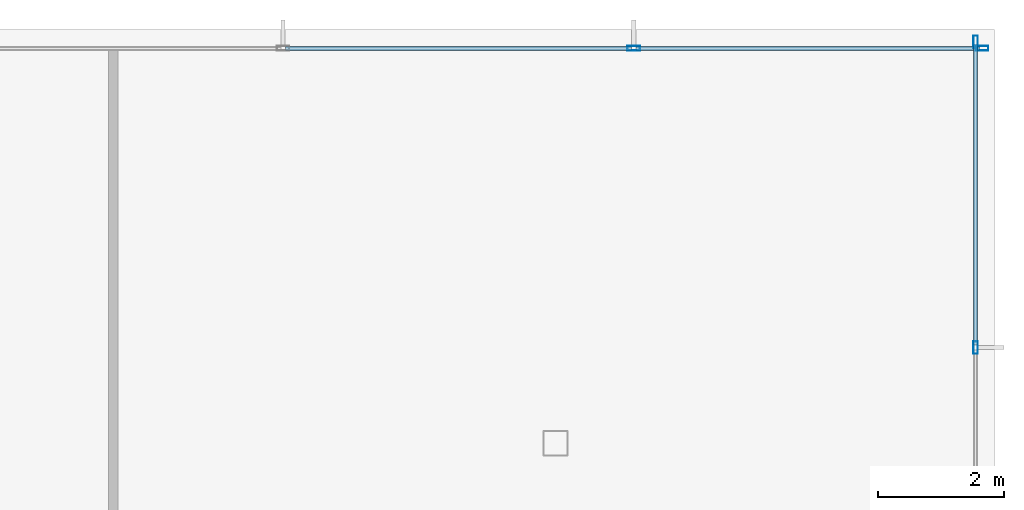
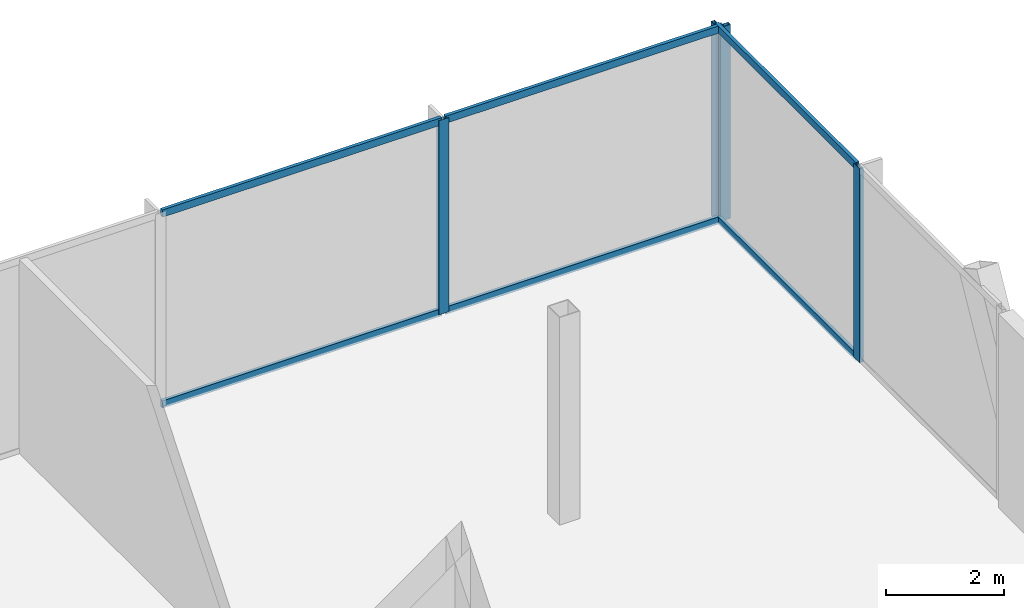
# One storey, part 31 of 42: 10 members, 2 elements without a shape of their own.
"""IFC4 building model written with IfcOpenShell, lengths in metres."""

from ifc_helpers import new_model, si_unit, direction, frame, origin, origin_2d, place, context, subcontext, project, spatial, hollow_rectangle, extrude, material, layer, layer_set, material_profile, profile_set, type_object, element, aggregate, save


model = new_model("IFC4")

# Units and contexts
model_context = context("Model", 3, precision=1e-05, world=origin(), true_north=direction((0.0, 1.0)))
body_context = subcontext(model_context, "Body", "Model", "MODEL_VIEW")
ifc_project = project(units=[si_unit("LENGTHUNIT", "METRE"), si_unit("AREAUNIT", "SQUARE_METRE"), si_unit("VOLUMEUNIT", "CUBIC_METRE"), si_unit("PLANEANGLEUNIT", "RADIAN"), si_unit("MASSUNIT", "GRAM", prefix="KILO")], contexts=[model_context])

# Site, building, storey
site_placement = place(None, origin())
site = spatial("IfcSite", under=ifc_project, at=site_placement, CompositionType="ELEMENT")
building_placement = place(site_placement, origin())
building = spatial("IfcBuilding", under=site, at=building_placement, Name="Orvanel Arch Residences", CompositionType="ELEMENT")
storey_placement = place(building_placement, frame((0.0, 0.0, 5.5)))
storey = spatial("IfcBuildingStorey", under=building, at=storey_placement, Name="L01", CompositionType="ELEMENT", Elevation=5.5)

# Curtain wall, members
ifc_material = material(Name="Bronze-anodised aluminium AA6063-T6", Category="aluminium")
ifc_layer = layer(ifc_material, 0.199951171875)
ifc_layer_set = layer_set([ifc_layer], Name="Bronze-anodised aluminium AA6063-T6")
curtain_wall_type = type_object("IfcCurtainWallType", Name="CW1-POD-SYS", PredefinedType="NOTDEFINED", material=ifc_layer_set)
curtain_wall_1_placement = place(storey_placement, origin())
curtain_wall_1 = element("IfcCurtainWall", 1, at=curtain_wall_1_placement, inside=storey, type_object=curtain_wall_type, Name="L01 CW1-POD-SYS Unitised Curtain Wall", PredefinedType="NOTDEFINED")
ifc_material_profile_1 = material_profile(ifc_material, hollow_rectangle(XDim=0.074951171875, YDim=0.199951171875, WallThickness=0.0048828125, at=origin_2d()), Name="ALU200x75x5")
ifc_profile_set_1 = profile_set([ifc_material_profile_1], Name="Bronze-anodised aluminium AA6063-T6")
member_type_1 = type_object("IfcMemberType", Name="MUL-200x75", PredefinedType="MULLION", material=ifc_profile_set_1)
member_1_placement = place(storey_placement, frame((64.552490234375, 54.25, 0.0), z_axis=(0.0, 0.0, 1.0), x_axis=(0.0, -1.0, 0.0)))
member_1 = element("IfcMember", 2, at=member_1_placement, type_object=member_type_1, Name="CW-S1 mullion 1", PredefinedType="MULLION", context=body_context, shape_type="SweptSolid", body=[
    extrude(hollow_rectangle(XDim=0.074951171875, YDim=0.199951171875, WallThickness=0.0048828125, at=origin_2d()), origin(), (0.0, 0.0, 1.0), 4.02001953125),
])
member_2_placement = place(storey_placement, frame((59.0400390625, 54.25, 0.0), z_axis=(0.0, 0.0, 1.0), x_axis=(0.0, -1.0, 0.0)))
member_2 = element("IfcMember", 3, at=member_2_placement, type_object=member_type_1, Name="CW-S1 mullion 2", PredefinedType="MULLION", context=body_context, shape_type="SweptSolid", body=[
    extrude(hollow_rectangle(XDim=0.074951171875, YDim=0.199951171875, WallThickness=0.0048828125, at=origin_2d()), origin(), (0.0, 0.0, 1.0), 4.02001953125),
])

curtain_wall_2_placement = place(storey_placement, origin())
curtain_wall_2 = element("IfcCurtainWall", 4, at=curtain_wall_2_placement, inside=storey, type_object=curtain_wall_type, Name="L01 CW1-POD-SYS Unitised Curtain Wall", PredefinedType="NOTDEFINED")
member_3_placement = place(storey_placement, frame((64.449951171875, 49.514892578125, 0.0), z_axis=(0.0, 0.0, 1.0), x_axis=(-1.0, 0.0, 0.0)))
member_3 = element("IfcMember", 5, at=member_3_placement, type_object=member_type_1, Name="CW-S1 mullion 2", PredefinedType="MULLION", context=body_context, shape_type="SweptSolid", body=[
    extrude(hollow_rectangle(XDim=0.074951171875, YDim=0.199951171875, WallThickness=0.0048828125, at=origin_2d()), origin(), (0.0, 0.0, 1.0), 4.02001953125),
])
member_4_placement = place(storey_placement, frame((64.449951171875, 54.3525390625, 0.0), z_axis=(0.0, 0.0, 1.0), x_axis=(-1.0, 0.0, 0.0)))
member_4 = element("IfcMember", 6, at=member_4_placement, type_object=member_type_1, Name="CW-S1 mullion 3", PredefinedType="MULLION", context=body_context, shape_type="SweptSolid", body=[
    extrude(hollow_rectangle(XDim=0.074951171875, YDim=0.199951171875, WallThickness=0.0048828125, at=origin_2d()), origin(), (0.0, 0.0, 1.0), 4.02001953125),
])

# Member
ifc_material_profile_2 = material_profile(ifc_material, hollow_rectangle(XDim=0.06494140625, YDim=0.14990234375, WallThickness=0.00390625, at=origin_2d()), Name="ALU150x65x4")
ifc_profile_set_2 = profile_set([ifc_material_profile_2], Name="Bronze-anodised aluminium AA6063-T6")
member_type_2 = type_object("IfcMemberType", Name="TRN-150x65", PredefinedType="USERDEFINED", material=ifc_profile_set_2)
member_5_placement = place(storey_placement, frame((64.514892578125, 54.25, 0.032470703125), z_axis=(-1.0, 0.0, 0.0), x_axis=(0.0, -1.0, 0.0)))
member_5 = element("IfcMember", 7, at=member_5_placement, type_object=member_type_2, Name="CW-S1 transom 1.1", ObjectType="TRANSOM", PredefinedType="USERDEFINED", context=body_context, shape_type="SweptSolid", body=[
    extrude(hollow_rectangle(XDim=0.06494140625, YDim=0.14990234375, WallThickness=0.00390625, at=origin_2d()), origin(), (0.0, 0.0, 1.0), 5.4375),
])

member_6_placement = place(storey_placement, frame((64.514892578125, 54.25, 3.987548828125), z_axis=(-1.0, 0.0, 0.0), x_axis=(0.0, -1.0, 0.0)))
member_6 = element("IfcMember", 8, at=member_6_placement, type_object=member_type_2, Name="CW-S1 transom 1.2", ObjectType="TRANSOM", PredefinedType="USERDEFINED", context=body_context, shape_type="SweptSolid", body=[
    extrude(hollow_rectangle(XDim=0.06494140625, YDim=0.14990234375, WallThickness=0.00390625, at=origin_2d()), origin(), (0.0, 0.0, 1.0), 5.4375),
])

member_7_placement = place(storey_placement, frame((59.00244140625, 54.25, 0.032470703125), z_axis=(-1.0, 0.0, 0.0), x_axis=(0.0, -1.0, 0.0)))
member_7 = element("IfcMember", 9, at=member_7_placement, type_object=member_type_2, Name="CW-S1 transom 2.1", ObjectType="TRANSOM", PredefinedType="USERDEFINED", context=body_context, shape_type="SweptSolid", body=[
    extrude(hollow_rectangle(XDim=0.06494140625, YDim=0.14990234375, WallThickness=0.00390625, at=origin_2d()), origin(), (0.0, 0.0, 1.0), 5.474853515625),
])

member_8_placement = place(storey_placement, frame((59.00244140625, 54.25, 3.987548828125), z_axis=(-1.0, 0.0, 0.0), x_axis=(0.0, -1.0, 0.0)))
member_8 = element("IfcMember", 10, at=member_8_placement, type_object=member_type_2, Name="CW-S1 transom 2.2", ObjectType="TRANSOM", PredefinedType="USERDEFINED", context=body_context, shape_type="SweptSolid", body=[
    extrude(hollow_rectangle(XDim=0.06494140625, YDim=0.14990234375, WallThickness=0.00390625, at=origin_2d()), origin(), (0.0, 0.0, 1.0), 5.474853515625),
])

aggregate(curtain_wall_1, [member_1, member_2, member_5, member_6, member_7, member_8])

member_9_placement = place(storey_placement, frame((64.449951171875, 49.552490234375, 0.032470703125), z_axis=(0.0, 1.0, 0.0), x_axis=(-1.0, 0.0, 0.0)))
member_9 = element("IfcMember", 11, at=member_9_placement, type_object=member_type_2, Name="CW-S1 transom 2.1", ObjectType="TRANSOM", PredefinedType="USERDEFINED", context=body_context, shape_type="SweptSolid", body=[
    extrude(hollow_rectangle(XDim=0.06494140625, YDim=0.14990234375, WallThickness=0.00390625, at=origin_2d()), origin(), (0.0, 0.0, 1.0), 4.762451171875),
])

member_10_placement = place(storey_placement, frame((64.449951171875, 49.552490234375, 3.987548828125), z_axis=(0.0, 1.0, 0.0), x_axis=(-1.0, 0.0, 0.0)))
member_10 = element("IfcMember", 12, at=member_10_placement, type_object=member_type_2, Name="CW-S1 transom 2.2", ObjectType="TRANSOM", PredefinedType="USERDEFINED", context=body_context, shape_type="SweptSolid", body=[
    extrude(hollow_rectangle(XDim=0.06494140625, YDim=0.14990234375, WallThickness=0.00390625, at=origin_2d()), origin(), (0.0, 0.0, 1.0), 4.762451171875),
])

aggregate(curtain_wall_2, [member_3, member_4, member_9, member_10])

save(model, "model.ifc")
